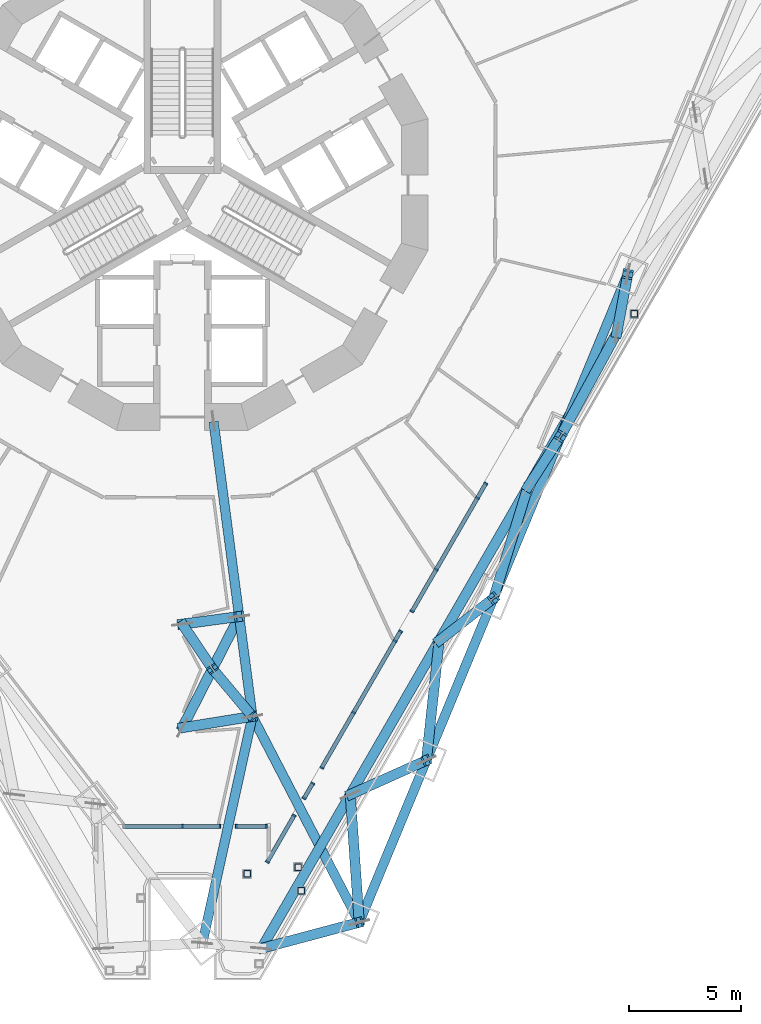
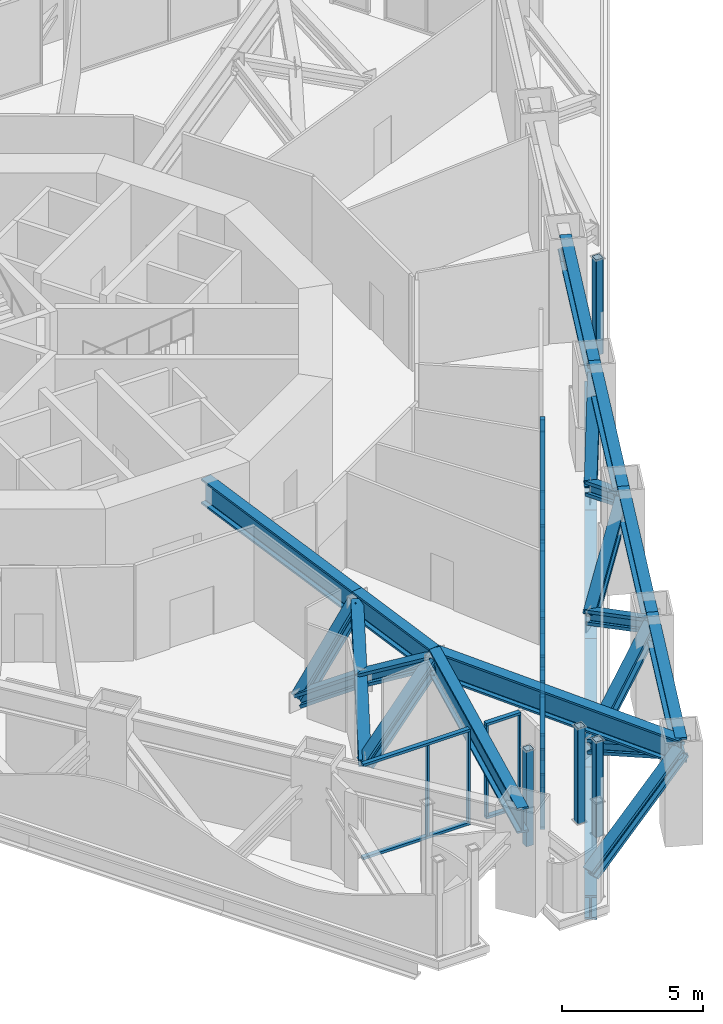
# One storey, part 2 of 28: 54 members, 4 beams, 6 elements without a shape of their own.
"""IFC4 building model written with IfcOpenShell, lengths in metres."""

from ifc_helpers import new_model, si_unit, direction, frame, origin, origin_2d, place, context, subcontext, project, spatial, rectangle, hollow_rectangle, i_section, extrude, material, layer, layer_set, material_profile, profile_set, type_object, element, aggregate, save


model = new_model("IFC4")

# Units and contexts
model_context = context("Model", 3, precision=1e-05, world=origin(), true_north=direction((0.0, 1.0)))
body_context = subcontext(model_context, "Body", "Model", "MODEL_VIEW")
ifc_project = project(units=[si_unit("LENGTHUNIT", "METRE"), si_unit("AREAUNIT", "SQUARE_METRE"), si_unit("VOLUMEUNIT", "CUBIC_METRE"), si_unit("PLANEANGLEUNIT", "RADIAN"), si_unit("MASSUNIT", "GRAM", prefix="KILO")], contexts=[model_context])

# Site, building, storey
site_placement = place(None, origin())
site = spatial("IfcSite", under=ifc_project, at=site_placement, CompositionType="ELEMENT")
building_placement = place(site_placement, origin())
building = spatial("IfcBuilding", under=site, at=building_placement, Name="Trine Commons Tower", CompositionType="ELEMENT")
storey_placement = place(building_placement, frame((0.0, 0.0, 45.89990234375)))
storey = spatial("IfcBuildingStorey", under=building, at=storey_placement, Name="L10", CompositionType="ELEMENT", Elevation=45.89990234375)

# Curtain wall, members
ifc_material_1 = material(Name="Sky lounge glazing: anodised aluminium frame with low-emissivity double glazed unit, solar control", Category="aluminium")
ifc_layer = layer(ifc_material_1, 0.179931640625)
ifc_layer_set = layer_set([ifc_layer], Name="Sky lounge glazing: anodised aluminium frame with low-emissivity double glazed unit, solar control")
curtain_wall_type = type_object("IfcCurtainWallType", Name="Sky lounge glazing curtain wall CW5", PredefinedType="NOTDEFINED", material=ifc_layer_set)
curtain_wall_1_placement = place(storey_placement, origin())
curtain_wall_1 = element("IfcCurtainWall", 1, at=curtain_wall_1_placement, inside=storey, type_object=curtain_wall_type, Name="Sky lounge glazing L10 F2.1", PredefinedType="NOTDEFINED")
ifc_material_2 = material(Name="Anodised aluminium, bronze finish", Category="aluminium")
ifc_material_profile_1 = material_profile(ifc_material_2, rectangle(XDim=0.179931640625, YDim=0.074951171875, at=origin_2d()), Name="Mullion 75x180")
ifc_profile_set_1 = profile_set([ifc_material_profile_1], Name="Anodised aluminium, bronze finish")
member_type_1 = type_object("IfcMemberType", Name="Mullion 75x180, Anodised aluminium, bronze finish", PredefinedType="MULLION", material=ifc_profile_set_1)
member_1_placement = place(storey_placement, frame((93.600341796875, 49.107177734375, 0.110107421875), z_axis=(0.0, 0.0, 1.0), x_axis=(0.866025403784, -0.5, 0.0)))
member_1 = element("IfcMember", 2, at=member_1_placement, type_object=member_type_1, Name="CW5 mullion 1.1", PredefinedType="MULLION", context=body_context, shape_type="SweptSolid", body=[
    extrude(rectangle(XDim=0.179931640625, YDim=0.074951171875, at=origin_2d()), origin(), (0.0, 0.0, 1.0), 3.929931640625),
])
member_2_placement = place(storey_placement, frame((93.225341796875, 48.4580078125, 0.110107421875), z_axis=(0.0, 0.0, 1.0), x_axis=(0.866025403784, -0.5, 0.0)))
member_2 = element("IfcMember", 3, at=member_2_placement, type_object=member_type_1, Name="CW5 mullion 2.1", PredefinedType="MULLION", context=body_context, shape_type="SweptSolid", body=[
    extrude(rectangle(XDim=0.179931640625, YDim=0.074951171875, at=origin_2d()), origin(), (0.0, 0.0, 1.0), 3.929931640625),
])
member_3_placement = place(storey_placement, frame((91.3759765625, 45.25439453125, 0.110107421875), z_axis=(0.0, 0.0, 1.0), x_axis=(0.866025403784, -0.5, 0.0)))
member_3 = element("IfcMember", 4, at=member_3_placement, type_object=member_type_1, Name="CW5 mullion 3.1", PredefinedType="MULLION", context=body_context, shape_type="SweptSolid", body=[
    extrude(rectangle(XDim=0.179931640625, YDim=0.074951171875, at=origin_2d()), origin(), (0.0, 0.0, 1.0), 3.929931640625),
])
member_4_placement = place(storey_placement, frame((90.29443359375, 43.381103515625, 0.110107421875), z_axis=(0.0, 0.0, 1.0), x_axis=(0.866025403784, -0.5, 0.0)))
member_4 = element("IfcMember", 5, at=member_4_placement, type_object=member_type_1, Name="CW5 mullion 4.1", PredefinedType="MULLION", context=body_context, shape_type="SweptSolid", body=[
    extrude(rectangle(XDim=0.179931640625, YDim=0.074951171875, at=origin_2d()), origin(), (0.0, 0.0, 1.0), 3.929931640625),
])

curtain_wall_2_placement = place(storey_placement, origin())
curtain_wall_2 = element("IfcCurtainWall", 6, at=curtain_wall_2_placement, inside=storey, type_object=curtain_wall_type, Name="Sky lounge glazing L10 F2.2", PredefinedType="NOTDEFINED")
member_5_placement = place(storey_placement, frame((89.77392578125, 42.47998046875, 0.110107421875), z_axis=(0.0, 0.0, 1.0), x_axis=(0.866025403784, -0.5, 0.0)))
member_5 = element("IfcMember", 7, at=member_5_placement, type_object=member_type_1, Name="CW5 mullion 1.1", PredefinedType="MULLION", context=body_context, shape_type="SweptSolid", body=[
    extrude(rectangle(XDim=0.179931640625, YDim=0.074951171875, at=origin_2d()), origin(), (0.0, 0.0, 1.0), 3.929931640625),
])
member_6_placement = place(storey_placement, frame((89.526611328125, 42.05126953125, 0.110107421875), z_axis=(0.0, 0.0, 1.0), x_axis=(0.866025403784, -0.5, 0.0)))
member_6 = element("IfcMember", 8, at=member_6_placement, type_object=member_type_1, Name="CW5 mullion 2.1", PredefinedType="MULLION", context=body_context, shape_type="SweptSolid", body=[
    extrude(rectangle(XDim=0.179931640625, YDim=0.074951171875, at=origin_2d()), origin(), (0.0, 0.0, 1.0), 3.929931640625),
])
member_7_placement = place(storey_placement, frame((87.677001953125, 38.847900390625, 0.110107421875), z_axis=(0.0, 0.0, 1.0), x_axis=(0.866025403784, -0.5, 0.0)))
member_7 = element("IfcMember", 9, at=member_7_placement, type_object=member_type_1, Name="CW5 mullion 3.1", PredefinedType="MULLION", context=body_context, shape_type="SweptSolid", body=[
    extrude(rectangle(XDim=0.179931640625, YDim=0.074951171875, at=origin_2d()), origin(), (0.0, 0.0, 1.0), 3.929931640625),
])
member_8_placement = place(storey_placement, frame((86.244384765625, 36.366455078125, 0.110107421875), z_axis=(0.0, 0.0, 1.0), x_axis=(0.866025403784, -0.5, 0.0)))
member_8 = element("IfcMember", 10, at=member_8_placement, type_object=member_type_1, Name="CW5 mullion 4.1", PredefinedType="MULLION", context=body_context, shape_type="SweptSolid", body=[
    extrude(rectangle(XDim=0.179931640625, YDim=0.074951171875, at=origin_2d()), origin(), (0.0, 0.0, 1.0), 3.929931640625),
])

curtain_wall_3_placement = place(storey_placement, origin())
curtain_wall_3 = element("IfcCurtainWall", 11, at=curtain_wall_3_placement, inside=storey, type_object=curtain_wall_type, Name="Sky lounge glazing L10 F2.3", PredefinedType="NOTDEFINED")
member_9_placement = place(storey_placement, frame((85.8408203125, 35.66748046875, 0.110107421875), z_axis=(0.0, 0.0, 1.0), x_axis=(0.866025403784, -0.5, 0.0)))
member_9 = element("IfcMember", 12, at=member_9_placement, type_object=member_type_1, Name="CW5 mullion 1.1", PredefinedType="MULLION", context=body_context, shape_type="SweptSolid", body=[
    extrude(rectangle(XDim=0.179931640625, YDim=0.074951171875, at=origin_2d()), origin(), (0.0, 0.0, 1.0), 3.929931640625),
])
member_10_placement = place(storey_placement, frame((85.458740234375, 35.005615234375, 0.110107421875), z_axis=(0.0, 0.0, 1.0), x_axis=(0.866025403784, -0.5, 0.0)))
member_10 = element("IfcMember", 13, at=member_10_placement, type_object=member_type_1, Name="CW5 mullion 2.1", PredefinedType="MULLION", context=body_context, shape_type="SweptSolid", body=[
    extrude(rectangle(XDim=0.179931640625, YDim=0.074951171875, at=origin_2d()), origin(), (0.0, 0.0, 1.0), 3.929931640625),
])

curtain_wall_4_placement = place(storey_placement, origin())
curtain_wall_4 = element("IfcCurtainWall", 14, at=curtain_wall_4_placement, inside=storey, type_object=curtain_wall_type, Name="Sky lounge glazing L10 F2.4", PredefinedType="NOTDEFINED")
member_11_placement = place(storey_placement, frame((85.00927734375, 34.227294921875, 0.110107421875), z_axis=(0.0, 0.0, 1.0), x_axis=(0.866025403784, -0.5, 0.0)))
member_11 = element("IfcMember", 15, at=member_11_placement, type_object=member_type_1, Name="CW5 mullion 1.1", PredefinedType="MULLION", context=body_context, shape_type="SweptSolid", body=[
    extrude(rectangle(XDim=0.179931640625, YDim=0.074951171875, at=origin_2d()), origin(), (0.0, 0.0, 1.0), 3.929931640625),
])
member_12_placement = place(storey_placement, frame((83.81005859375, 32.14990234375, 0.110107421875), z_axis=(0.0, 0.0, 1.0), x_axis=(0.866025403784, -0.5, 0.0)))
member_12 = element("IfcMember", 16, at=member_12_placement, type_object=member_type_1, Name="CW5 mullion 2.1", PredefinedType="MULLION", context=body_context, shape_type="SweptSolid", body=[
    extrude(rectangle(XDim=0.179931640625, YDim=0.074951171875, at=origin_2d()), origin(), (0.0, 0.0, 1.0), 3.929931640625),
])

curtain_wall_5_placement = place(storey_placement, origin())
curtain_wall_5 = element("IfcCurtainWall", 17, at=curtain_wall_5_placement, inside=storey, type_object=curtain_wall_type, Name="Sky lounge glazing L10 P3.1", PredefinedType="NOTDEFINED")
member_13_placement = place(storey_placement, frame((83.762451171875, 33.74072265625, 0.110107421875), z_axis=(0.0, 0.0, 1.0), x_axis=(0.0, -1.0, 0.0)))
member_13 = element("IfcMember", 18, at=member_13_placement, type_object=member_type_1, Name="CW5 mullion 1.1", PredefinedType="MULLION", context=body_context, shape_type="SweptSolid", body=[
    extrude(rectangle(XDim=0.179931640625, YDim=0.074951171875, at=origin_2d()), origin(), (0.0, 0.0, 1.0), 3.929931640625),
])
member_14_placement = place(storey_placement, frame((82.417724609375, 33.74072265625, 0.110107421875), z_axis=(0.0, 0.0, 1.0), x_axis=(0.0, -1.0, 0.0)))
member_14 = element("IfcMember", 19, at=member_14_placement, type_object=member_type_1, Name="CW5 mullion 2.1", PredefinedType="MULLION", context=body_context, shape_type="SweptSolid", body=[
    extrude(rectangle(XDim=0.179931640625, YDim=0.074951171875, at=origin_2d()), origin(), (0.0, 0.0, 1.0), 3.929931640625),
])

curtain_wall_6_placement = place(storey_placement, origin())
curtain_wall_6 = element("IfcCurtainWall", 20, at=curtain_wall_6_placement, inside=storey, type_object=curtain_wall_type, Name="Sky lounge glazing L10 P3.2", PredefinedType="NOTDEFINED")
member_15_placement = place(storey_placement, frame((81.681640625, 33.74072265625, 0.110107421875), z_axis=(0.0, 0.0, 1.0), x_axis=(0.0, -1.0, 0.0)))
member_15 = element("IfcMember", 21, at=member_15_placement, type_object=member_type_1, Name="CW5 mullion 1.1", PredefinedType="MULLION", context=body_context, shape_type="SweptSolid", body=[
    extrude(rectangle(XDim=0.179931640625, YDim=0.074951171875, at=origin_2d()), origin(), (0.0, 0.0, 1.0), 3.929931640625),
])
member_16_placement = place(storey_placement, frame((80.0, 33.74072265625, 0.110107421875), z_axis=(0.0, 0.0, 1.0), x_axis=(0.0, -1.0, 0.0)))
member_16 = element("IfcMember", 22, at=member_16_placement, type_object=member_type_1, Name="CW5 mullion 2.1", PredefinedType="MULLION", context=body_context, shape_type="SweptSolid", body=[
    extrude(rectangle(XDim=0.179931640625, YDim=0.074951171875, at=origin_2d()), origin(), (0.0, 0.0, 1.0), 3.929931640625),
])

# Beams
ifc_material_3 = material(Name="Structural steel ASTM A992 Gr50", Category="steel")
ifc_material_profile_2 = material_profile(ifc_material_3, i_section(OverallWidth=0.42529296875, OverallDepth=1.09228515625, WebThickness=0.04541015625, FlangeThickness=0.08203125, FilletRadius=0.030029296875, at=origin_2d()), Name="W40X593")
ifc_profile_set_2 = profile_set([ifc_material_profile_2], Name="Structural steel ASTM A992 Gr50")
beam_type = type_object("IfcBeamType", Name="Steel beam W40X593, ASTM A992 Gr50", PredefinedType="BEAM", material=ifc_profile_set_2)
for number, where, z_axis, x_axis, name in (
    (23, (87.927734375, 29.4375, 3.60400390625), (-0.460648826893, 0.887582479707, 0.0), (-0.887582479707, -0.460648826893, 0.0), "Transfer truss girder T1-UV-05"),
    (24, (80.8994140625, 28.51220703125, 3.60400390625), (0.215249637972, 0.976559057791, 0.0), (-0.976559057791, 0.215249637972, 0.0), "Transfer truss girder T1-UV-06"),
):
    element("IfcBeam", number, at=place(storey_placement, frame(where, z_axis=z_axis, x_axis=x_axis)), inside=storey, type_object=beam_type, Name=name, PredefinedType="BEAM", context=body_context, shape_type="SweptSolid", body=[
        extrude(i_section(OverallWidth=0.42529296875, OverallDepth=1.09228515625, WebThickness=0.04541015625, FlangeThickness=0.08203125, FilletRadius=0.030029296875, at=origin_2d()), origin(), (0.0, 0.0, 1.0), 10.3984375),
    ])
beam_1_placement = place(storey_placement, frame((81.3974609375, 51.885009765625, 3.60400390625), z_axis=(0.130518268979, -0.991445904456, 0.0), x_axis=(0.991445904456, 0.130518268979, 0.0)))
element("IfcBeam", 25, at=beam_1_placement, inside=storey, type_object=beam_type, Name="Transfer truss girder T1-UR-01", PredefinedType="BEAM", context=body_context, shape_type="SweptSolid", body=[
    extrude(i_section(OverallWidth=0.42529296875, OverallDepth=1.09228515625, WebThickness=0.04541015625, FlangeThickness=0.08203125, FilletRadius=0.030029296875, at=origin_2d()), origin(), (0.0, 0.0, 1.0), 8.81591796875),
])
beam_2_placement = place(storey_placement, frame((82.548095703125, 43.14453125, 3.60400390625), z_axis=(0.130552399509, -0.991441410766, 0.0), x_axis=(0.991441410766, 0.130552399509, 0.0)))
element("IfcBeam", 26, at=beam_2_placement, inside=storey, type_object=beam_type, Name="Transfer truss girder T1-UR-02", PredefinedType="BEAM", context=body_context, shape_type="SweptSolid", body=[
    extrude(i_section(OverallWidth=0.42529296875, OverallDepth=1.09228515625, WebThickness=0.04541015625, FlangeThickness=0.08203125, FilletRadius=0.030029296875, at=origin_2d()), origin(), (0.0, 0.0, 1.0), 4.51611328125),
])

# Members
ifc_material_profile_3 = material_profile(ifc_material_3, i_section(OverallWidth=0.4541015625, OverallDepth=0.568359375, WebThickness=0.077880859375, FlangeThickness=0.124755859375, FilletRadius=0.015380859375, at=origin_2d()), Name="W14X730")
ifc_profile_set_3 = profile_set([ifc_material_profile_3], Name="Structural steel ASTM A992 Gr50")
member_type_2 = type_object("IfcMemberType", Name="Steel brace W14X730, ASTM A992 Gr50", PredefinedType="BRACE", material=ifc_profile_set_3)
member_17_placement = place(storey_placement, frame((99.47119140625, 55.85595703125, 0.520751953125), z_axis=(0.119791438957, 0.644349956724, 0.755290106133), x_axis=(-0.983154082415, 0.182778691951, 0.0)))
element("IfcMember", 27, at=member_17_placement, inside=storey, type_object=member_type_2, Name="Transfer truss brace T1-DG-39", PredefinedType="BRACE", context=body_context, shape_type="SweptSolid", body=[
    extrude(i_section(OverallWidth=0.4541015625, OverallDepth=0.568359375, WebThickness=0.077880859375, FlangeThickness=0.124755859375, FilletRadius=0.015380859375, at=origin_2d()), origin(), (0.0, 0.0, 1.0), 4.082275390625),
])
member_18_placement = place(storey_placement, frame((95.489501953125, 48.95947265625, 0.520751953125), z_axis=(0.357121293648, 0.552938928373, 0.752810017941), x_axis=(-0.840029059669, 0.542541407555, 0.0)))
element("IfcMember", 28, at=member_18_placement, inside=storey, type_object=member_type_2, Name="Transfer truss brace T1-DG-41", PredefinedType="BRACE", context=body_context, shape_type="SweptSolid", body=[
    extrude(i_section(OverallWidth=0.4541015625, OverallDepth=0.568359375, WebThickness=0.077880859375, FlangeThickness=0.124755859375, FilletRadius=0.015380859375, at=origin_2d()), origin(), (0.0, 0.0, 1.0), 4.095703125),
])
member_19_placement = place(storey_placement, frame((99.47119140625, 55.85595703125, 0.520751953125), z_axis=(-0.412426605419, -0.758340527041, 0.50480089163), x_axis=(0.878485948125, -0.477768185365, 0.0)))
element("IfcMember", 29, at=member_19_placement, inside=storey, type_object=member_type_2, Name="Transfer truss brace T1-DG-42", PredefinedType="BRACE", context=body_context, shape_type="SweptSolid", body=[
    extrude(i_section(OverallWidth=0.4541015625, OverallDepth=0.568359375, WebThickness=0.077880859375, FlangeThickness=0.124755859375, FilletRadius=0.015380859375, at=origin_2d()), origin(), (0.0, 0.0, 1.0), 6.10791015625),
])
member_20_placement = place(storey_placement, frame((91.5078125, 42.06298828125, 0.520751953125), z_axis=(0.558218791374, 0.435096278115, 0.706458073581), x_axis=(-0.61475559078, 0.788717670402, 0.0)))
element("IfcMember", 30, at=member_20_placement, inside=storey, type_object=member_type_2, Name="Transfer truss brace T1-DG-43", PredefinedType="BRACE", context=body_context, shape_type="SweptSolid", body=[
    extrude(i_section(OverallWidth=0.4541015625, OverallDepth=0.568359375, WebThickness=0.077880859375, FlangeThickness=0.124755859375, FilletRadius=0.015380859375, at=origin_2d()), origin(), (0.0, 0.0, 1.0), 4.364501953125),
])
member_21_placement = place(storey_placement, frame((95.489501953125, 48.95947265625, 0.520751953125), z_axis=(-0.254510243845, -0.823037076068, 0.507774071015), x_axis=(0.955364326877, -0.295430199762, 0.0)))
element("IfcMember", 31, at=member_21_placement, inside=storey, type_object=member_type_2, Name="Transfer truss brace T1-DG-44", PredefinedType="BRACE", context=body_context, shape_type="SweptSolid", body=[
    extrude(i_section(OverallWidth=0.4541015625, OverallDepth=0.568359375, WebThickness=0.077880859375, FlangeThickness=0.124755859375, FilletRadius=0.015380859375, at=origin_2d()), origin(), (0.0, 0.0, 1.0), 6.072021484375),
])
member_22_placement = place(storey_placement, frame((87.526123046875, 35.16650390625, 0.520751953125), z_axis=(0.703615490865, 0.316390182059, 0.636256625672), x_axis=(-0.410109418823, 0.912036328549, 0.0)))
element("IfcMember", 32, at=member_22_placement, inside=storey, type_object=member_type_2, Name="Transfer truss brace T1-DG-45", PredefinedType="BRACE", context=body_context, shape_type="SweptSolid", body=[
    extrude(i_section(OverallWidth=0.4541015625, OverallDepth=0.568359375, WebThickness=0.077880859375, FlangeThickness=0.124755859375, FilletRadius=0.015380859375, at=origin_2d()), origin(), (0.0, 0.0, 1.0), 4.845947265625),
])
member_23_placement = place(storey_placement, frame((91.5078125, 42.06298828125, 0.520751953125), z_axis=(-0.092071979746, -0.86326813959, 0.496277009053), x_axis=(0.994360409862, -0.106053643495, 0.0)))
element("IfcMember", 33, at=member_23_placement, inside=storey, type_object=member_type_2, Name="Transfer truss brace T1-DG-46", PredefinedType="BRACE", context=body_context, shape_type="SweptSolid", body=[
    extrude(i_section(OverallWidth=0.4541015625, OverallDepth=0.568359375, WebThickness=0.077880859375, FlangeThickness=0.124755859375, FilletRadius=0.015380859375, at=origin_2d()), origin(), (0.0, 0.0, 1.0), 6.212646484375),
])
member_24_placement = place(storey_placement, frame((83.54443359375, 28.27001953125, 0.520751953125), z_axis=(0.799175748257, 0.212858328404, 0.562147183064), x_axis=(-0.257374548769, 0.966311720743, 0.0)))
element("IfcMember", 34, at=member_24_placement, inside=storey, type_object=member_type_2, Name="Transfer truss brace T1-DG-47", PredefinedType="BRACE", context=body_context, shape_type="SweptSolid", body=[
    extrude(i_section(OverallWidth=0.4541015625, OverallDepth=0.568359375, WebThickness=0.077880859375, FlangeThickness=0.124755859375, FilletRadius=0.015380859375, at=origin_2d()), origin(), (0.0, 0.0, 1.0), 5.48486328125),
])
member_25_placement = place(storey_placement, frame((87.526123046875, 35.16650390625, 0.520751953125), z_axis=(0.061612179912, -0.878900555513, 0.473009252347), x_axis=(0.997551914342, 0.069929809047, 0.0)))
element("IfcMember", 35, at=member_25_placement, inside=storey, type_object=member_type_2, Name="Transfer truss brace T1-DG-48", PredefinedType="BRACE", context=body_context, shape_type="SweptSolid", body=[
    extrude(i_section(OverallWidth=0.4541015625, OverallDepth=0.568359375, WebThickness=0.077880859375, FlangeThickness=0.124755859375, FilletRadius=0.015380859375, at=origin_2d()), origin(), (0.0, 0.0, 1.0), 6.518310546875),
])
member_26_placement = place(storey_placement, frame((80.0, 42.802978515625, 0.520751953125), z_axis=(0.634729310201, 0.085080607931, 0.768036452863), x_axis=(-0.132854144249, 0.991135599379, 0.0)))
element("IfcMember", 36, at=member_26_placement, inside=storey, type_object=member_type_2, Name="Transfer truss brace T1-DG-49", PredefinedType="BRACE", context=body_context, shape_type="SweptSolid", body=[
    extrude(i_section(OverallWidth=0.4541015625, OverallDepth=0.568359375, WebThickness=0.077880859375, FlangeThickness=0.124755859375, FilletRadius=0.015380859375, at=origin_2d()), origin(), (0.0, 0.0, 1.0), 4.014404296875),
])
member_27_placement = place(storey_placement, frame((80.0, 38.162109375, 0.520751953125), z_axis=(0.398803740901, 0.779801355208, 0.482561314922), x_axis=(-0.890324258045, 0.455327042396, 0.0)))
element("IfcMember", 37, at=member_27_placement, inside=storey, type_object=member_type_2, Name="Transfer truss brace T1-DG-50", PredefinedType="BRACE", context=body_context, shape_type="SweptSolid", body=[
    extrude(i_section(OverallWidth=0.4541015625, OverallDepth=0.568359375, WebThickness=0.077880859375, FlangeThickness=0.124755859375, FilletRadius=0.015380859375, at=origin_2d()), origin(), (0.0, 0.0, 1.0), 6.389404296875),
])
member_28_placement = place(storey_placement, frame((80.0, 38.162109375, 0.520751953125), z_axis=(0.708615978547, 0.114022552415, 0.696320509887), x_axis=(-0.15886530878, 0.987300265201, 0.0)))
element("IfcMember", 38, at=member_28_placement, inside=storey, type_object=member_type_2, Name="Transfer truss brace T1-DG-51", PredefinedType="BRACE", context=body_context, shape_type="SweptSolid", body=[
    extrude(i_section(OverallWidth=0.4541015625, OverallDepth=0.568359375, WebThickness=0.077880859375, FlangeThickness=0.124755859375, FilletRadius=0.015380859375, at=origin_2d()), origin(), (0.0, 0.0, 1.0), 4.427978515625),
])
member_29_placement = place(storey_placement, frame((80.0, 42.802978515625, 0.520751953125), z_axis=(0.463185484916, -0.686569877008, 0.560429309145), x_axis=(0.828988167714, 0.559266142181, 0.0)))
element("IfcMember", 39, at=member_29_placement, inside=storey, type_object=member_type_2, Name="Transfer truss brace T1-DG-52a", PredefinedType="BRACE", context=body_context, shape_type="SweptSolid", body=[
    extrude(i_section(OverallWidth=0.4541015625, OverallDepth=0.568359375, WebThickness=0.077880859375, FlangeThickness=0.124755859375, FilletRadius=0.015380859375, at=origin_2d()), origin(), (0.0, 0.0, 1.0), 2.914794921875),
])
member_30_placement = place(storey_placement, frame((81.35009765625, 40.8017578125, 2.154296875), z_axis=(0.569449375535, -0.680041701677, 0.461812399881), x_axis=(0.766695441329, 0.642010981406, 0.0)))
element("IfcMember", 40, at=member_30_placement, inside=storey, type_object=member_type_2, Name="Transfer truss brace T1-DG-52b", PredefinedType="BRACE", context=body_context, shape_type="SweptSolid", body=[
    extrude(i_section(OverallWidth=0.4541015625, OverallDepth=0.568359375, WebThickness=0.077880859375, FlangeThickness=0.124755859375, FilletRadius=0.015380859375, at=origin_2d()), origin(), (0.0, 0.0, 1.0), 3.13916015625),
])
ifc_material_profile_4 = material_profile(ifc_material_3, i_section(OverallWidth=0.44775390625, OverallDepth=1.04150390625, WebThickness=0.050048828125, FlangeThickness=0.08984375, FilletRadius=0.024169921875, at=origin_2d()), Name="W36X652")
ifc_profile_set_4 = profile_set([ifc_material_profile_4], Name="Structural steel ASTM A992 Gr50")
member_type_3 = type_object("IfcMemberType", Name="Steel chord W36X652, ASTM A992 Gr50", PredefinedType="CHORD", material=ifc_profile_set_4)
for number, where, z_axis, x_axis, name in (
    (41, (99.47119140625, 55.85595703125, -0.970703125), (-0.500000220644, -0.866025276396, 0.0), (0.866025276396, -0.500000220644, 0.0), "Transfer truss chord T1-LC-18"),
    (42, (95.489501953125, 48.95947265625, -0.970703125), (-0.500000220644, -0.866025276396, 0.0), (0.866025276396, -0.500000220644, 0.0), "Transfer truss chord T1-LC-19"),
    (43, (91.5078125, 42.06298828125, -0.970703125), (-0.500000220644, -0.866025276396, 0.0), (0.866025276396, -0.500000220644, 0.0), "Transfer truss chord T1-LC-20"),
    (44, (87.526123046875, 35.16650390625, -0.970703125), (-0.500000220644, -0.866025276396, 0.0), (0.866025276396, -0.500000220644, 0.0), "Transfer truss chord T1-LC-21"),
):
    element("IfcMember", number, at=place(storey_placement, frame(where, z_axis=z_axis, x_axis=x_axis)), inside=storey, type_object=member_type_3, Name=name, PredefinedType="CHORD", context=body_context, shape_type="SweptSolid", body=[
        extrude(i_section(OverallWidth=0.44775390625, OverallDepth=1.04150390625, WebThickness=0.050048828125, FlangeThickness=0.08984375, FilletRadius=0.024169921875, at=origin_2d()), origin(), (0.0, 0.0, 1.0), 7.96337890625),
    ])
ifc_material_profile_5 = material_profile(ifc_material_3, i_section(OverallWidth=0.42529296875, OverallDepth=1.09228515625, WebThickness=0.04541015625, FlangeThickness=0.08203125, FilletRadius=0.030029296875, at=origin_2d()), Name="W40X593")
ifc_profile_set_5 = profile_set([ifc_material_profile_5], Name="Structural steel ASTM A992 Gr50")
member_type_4 = type_object("IfcMemberType", Name="Steel chord W40X593, ASTM A992 Gr50", PredefinedType="CHORD", material=ifc_profile_set_5)
for number, where, z_axis, x_axis, name in (
    (45, (99.960205078125, 58.486328125, 3.60400390625), (-0.382678219689, -0.923881691655, 0.0), (0.923881691655, -0.382678219689, 0.0), "Transfer truss chord T1-UC-18"),
    (46, (96.9521484375, 51.22412109375, 3.60400390625), (-0.382678219689, -0.923881691655, 0.0), (0.923881691655, -0.382678219689, 0.0), "Transfer truss chord T1-UC-19"),
    (47, (93.944091796875, 43.9619140625, 3.60400390625), (-0.382704729875, -0.923870710506, 0.0), (0.923870710506, -0.382704729875, 0.0), "Transfer truss chord T1-UC-20"),
    (48, (90.935791015625, 36.69970703125, 3.60400390625), (-0.382678219689, -0.923881691655, 0.0), (0.923881691655, -0.382678219689, 0.0), "Transfer truss chord T1-UC-21"),
):
    element("IfcMember", number, at=place(storey_placement, frame(where, z_axis=z_axis, x_axis=x_axis)), inside=storey, type_object=member_type_4, Name=name, PredefinedType="CHORD", context=body_context, shape_type="SweptSolid", body=[
        extrude(i_section(OverallWidth=0.42529296875, OverallDepth=1.09228515625, WebThickness=0.04541015625, FlangeThickness=0.08203125, FilletRadius=0.030029296875, at=origin_2d()), origin(), (0.0, 0.0, 1.0), 7.860595703125),
    ])
ifc_material_4 = material(Name="Structural steel ASTM A500 Gr C", Category="steel")
ifc_material_profile_6 = material_profile(ifc_material_4, hollow_rectangle(XDim=0.3046875, YDim=0.3046875, WallThickness=0.014892578125, InnerFilletRadius=0.00732421875, OuterFilletRadius=0.022216796875, at=origin_2d()), Name="HSS12X12X5/8")
ifc_profile_set_6 = profile_set([ifc_material_profile_6], Name="Structural steel ASTM A500 Gr C")
member_type_5 = type_object("IfcMemberType", Name="Steel post HSS12X12X5/8, ASTM A500 Gr C", PredefinedType="POST", material=ifc_profile_set_6)
for number, where, z_axis, x_axis, name in (
    (49, (82.906494140625, 31.611572265625, 0.0), (0.0, 0.0, 1.0), (1.0, 0.0, 0.0), "Roof post SP1-42"),
    (50, (85.18701171875, 31.911865234375, 0.0), (0.0, 0.0, 1.0), (1.0, 0.0, 0.0), "Roof post SP1-43"),
    (51, (85.325927734375, 30.855712890625, 0.0), (0.0, 0.0, 1.0), (1.0, 0.0, 0.0), "Roof post SP1-44"),
    (52, (100.251708984375, 56.7080078125, 0.0), (0.0, 0.0, 1.0), (1.0, 0.0, 0.0), "Roof post SP1-63"),
):
    element("IfcMember", number, at=place(storey_placement, frame(where, z_axis=z_axis, x_axis=x_axis)), inside=storey, type_object=member_type_5, Name=name, PredefinedType="POST", context=body_context, shape_type="SweptSolid", body=[
        extrude(hollow_rectangle(XDim=0.3046875, YDim=0.3046875, WallThickness=0.014892578125, InnerFilletRadius=0.00732421875, OuterFilletRadius=0.022216796875, at=origin_2d()), origin(), (0.0, 0.0, 1.0), 4.150146484375),
    ])

# Member
ifc_material_profile_7 = material_profile(ifc_material_2, rectangle(XDim=0.179931640625, YDim=0.110107421875, at=origin_2d()), Name="Transom 110x180")
ifc_profile_set_7 = profile_set([ifc_material_profile_7], Name="Anodised aluminium, bronze finish")
member_type_6 = type_object("IfcMemberType", Name="Transom 110x180, Anodised aluminium, bronze finish", PredefinedType="USERDEFINED", material=ifc_profile_set_7)
member_31_placement = place(storey_placement, frame((93.618896484375, 49.1396484375, 0.05517578125), z_axis=(-0.499995316373, -0.866028107861, 0.0), x_axis=(0.866028107861, -0.499995316373, 0.0)))
member_31 = element("IfcMember", 53, at=member_31_placement, type_object=member_type_6, Name="CW5 transom T00", ObjectType="TRANSOM", PredefinedType="USERDEFINED", context=body_context, shape_type="SweptSolid", body=[
    extrude(rectangle(XDim=0.179931640625, YDim=0.110107421875, at=origin_2d()), origin(), (0.0, 0.0, 1.0), 6.6865234375),
])

member_32_placement = place(storey_placement, frame((93.618896484375, 49.1396484375, 4.09521484375), z_axis=(-0.499995316373, -0.866028107861, 0.0), x_axis=(0.866028107861, -0.499995316373, 0.0)))
member_32 = element("IfcMember", 54, at=member_32_placement, type_object=member_type_6, Name="CW5 transom TH00", ObjectType="TRANSOM", PredefinedType="USERDEFINED", context=body_context, shape_type="SweptSolid", body=[
    extrude(rectangle(XDim=0.179931640625, YDim=0.110107421875, at=origin_2d()), origin(), (0.0, 0.0, 1.0), 6.6865234375),
])

aggregate(curtain_wall_1, [member_31, member_32, member_1, member_2, member_3, member_4])

member_33_placement = place(storey_placement, frame((89.792724609375, 42.512451171875, 0.05517578125), z_axis=(-0.499999916269, -0.866025452127, 0.0), x_axis=(0.866025452127, -0.499999916269, 0.0)))
member_33 = element("IfcMember", 55, at=member_33_placement, type_object=member_type_6, Name="CW5 transom T00", ObjectType="TRANSOM", PredefinedType="USERDEFINED", context=body_context, shape_type="SweptSolid", body=[
    extrude(rectangle(XDim=0.179931640625, YDim=0.110107421875, at=origin_2d()), origin(), (0.0, 0.0, 1.0), 7.13427734375),
])

member_34_placement = place(storey_placement, frame((89.792724609375, 42.512451171875, 4.09521484375), z_axis=(-0.499999916269, -0.866025452127, 0.0), x_axis=(0.866025452127, -0.499999916269, 0.0)))
member_34 = element("IfcMember", 56, at=member_34_placement, type_object=member_type_6, Name="CW5 transom TH00", ObjectType="TRANSOM", PredefinedType="USERDEFINED", context=body_context, shape_type="SweptSolid", body=[
    extrude(rectangle(XDim=0.179931640625, YDim=0.110107421875, at=origin_2d()), origin(), (0.0, 0.0, 1.0), 7.13427734375),
])

aggregate(curtain_wall_2, [member_33, member_34, member_5, member_6, member_7, member_8])

member_35_placement = place(storey_placement, frame((85.859619140625, 35.699951171875, 0.05517578125), z_axis=(-0.499923853111, -0.866069362748, 0.0), x_axis=(0.866069362748, -0.499923853111, 0.0)))
member_35 = element("IfcMember", 57, at=member_35_placement, type_object=member_type_6, Name="CW5 transom T00", ObjectType="TRANSOM", PredefinedType="USERDEFINED", context=body_context, shape_type="SweptSolid", body=[
    extrude(rectangle(XDim=0.179931640625, YDim=0.110107421875, at=origin_2d()), origin(), (0.0, 0.0, 1.0), 0.839599609375),
])

member_36_placement = place(storey_placement, frame((85.859619140625, 35.699951171875, 4.09521484375), z_axis=(-0.499923853111, -0.866069362748, 0.0), x_axis=(0.866069362748, -0.499923853111, 0.0)))
member_36 = element("IfcMember", 58, at=member_36_placement, type_object=member_type_6, Name="CW5 transom TH00", ObjectType="TRANSOM", PredefinedType="USERDEFINED", context=body_context, shape_type="SweptSolid", body=[
    extrude(rectangle(XDim=0.179931640625, YDim=0.110107421875, at=origin_2d()), origin(), (0.0, 0.0, 1.0), 0.839599609375),
])

aggregate(curtain_wall_3, [member_35, member_36, member_9, member_10])

member_37_placement = place(storey_placement, frame((85.028076171875, 34.259765625, 0.05517578125), z_axis=(-0.499981597573, -0.86603602817, 0.0), x_axis=(0.86603602817, -0.499981597573, 0.0)))
member_37 = element("IfcMember", 59, at=member_37_placement, type_object=member_type_6, Name="CW5 transom T00", ObjectType="TRANSOM", PredefinedType="USERDEFINED", context=body_context, shape_type="SweptSolid", body=[
    extrude(rectangle(XDim=0.179931640625, YDim=0.110107421875, at=origin_2d()), origin(), (0.0, 0.0, 1.0), 2.4736328125),
])

member_38_placement = place(storey_placement, frame((85.028076171875, 34.259765625, 4.09521484375), z_axis=(-0.499981597573, -0.86603602817, 0.0), x_axis=(0.86603602817, -0.499981597573, 0.0)))
member_38 = element("IfcMember", 60, at=member_38_placement, type_object=member_type_6, Name="CW5 transom TH00", ObjectType="TRANSOM", PredefinedType="USERDEFINED", context=body_context, shape_type="SweptSolid", body=[
    extrude(rectangle(XDim=0.179931640625, YDim=0.110107421875, at=origin_2d()), origin(), (0.0, 0.0, 1.0), 2.4736328125),
])

aggregate(curtain_wall_4, [member_37, member_38, member_11, member_12])

member_39_placement = place(storey_placement, frame((83.800048828125, 33.74072265625, 0.05517578125), z_axis=(-1.0, 0.0, 0.0), x_axis=(0.0, -1.0, 0.0)))
member_39 = element("IfcMember", 61, at=member_39_placement, type_object=member_type_6, Name="CW5 transom T00", ObjectType="TRANSOM", PredefinedType="USERDEFINED", context=body_context, shape_type="SweptSolid", body=[
    extrude(rectangle(XDim=0.179931640625, YDim=0.110107421875, at=origin_2d()), origin(), (0.0, 0.0, 1.0), 1.419677734375),
])

member_40_placement = place(storey_placement, frame((83.800048828125, 33.74072265625, 4.09521484375), z_axis=(-1.0, 0.0, 0.0), x_axis=(0.0, -1.0, 0.0)))
member_40 = element("IfcMember", 62, at=member_40_placement, type_object=member_type_6, Name="CW5 transom TH00", ObjectType="TRANSOM", PredefinedType="USERDEFINED", context=body_context, shape_type="SweptSolid", body=[
    extrude(rectangle(XDim=0.179931640625, YDim=0.110107421875, at=origin_2d()), origin(), (0.0, 0.0, 1.0), 1.419677734375),
])

aggregate(curtain_wall_5, [member_39, member_40, member_13, member_14])

member_41_placement = place(storey_placement, frame((81.718994140625, 33.74072265625, 0.05517578125), z_axis=(-1.0, 0.0, 0.0), x_axis=(0.0, -1.0, 0.0)))
member_41 = element("IfcMember", 63, at=member_41_placement, type_object=member_type_6, Name="CW5 transom T00", ObjectType="TRANSOM", PredefinedType="USERDEFINED", context=body_context, shape_type="SweptSolid", body=[
    extrude(rectangle(XDim=0.179931640625, YDim=0.110107421875, at=origin_2d()), origin(), (0.0, 0.0, 1.0), 4.381103515625),
])

member_42_placement = place(storey_placement, frame((81.718994140625, 33.74072265625, 4.09521484375), z_axis=(-1.0, 0.0, 0.0), x_axis=(0.0, -1.0, 0.0)))
member_42 = element("IfcMember", 64, at=member_42_placement, type_object=member_type_6, Name="CW5 transom TH00", ObjectType="TRANSOM", PredefinedType="USERDEFINED", context=body_context, shape_type="SweptSolid", body=[
    extrude(rectangle(XDim=0.179931640625, YDim=0.110107421875, at=origin_2d()), origin(), (0.0, 0.0, 1.0), 4.381103515625),
])

aggregate(curtain_wall_6, [member_41, member_42, member_15, member_16])

save(model, "model.ifc")
